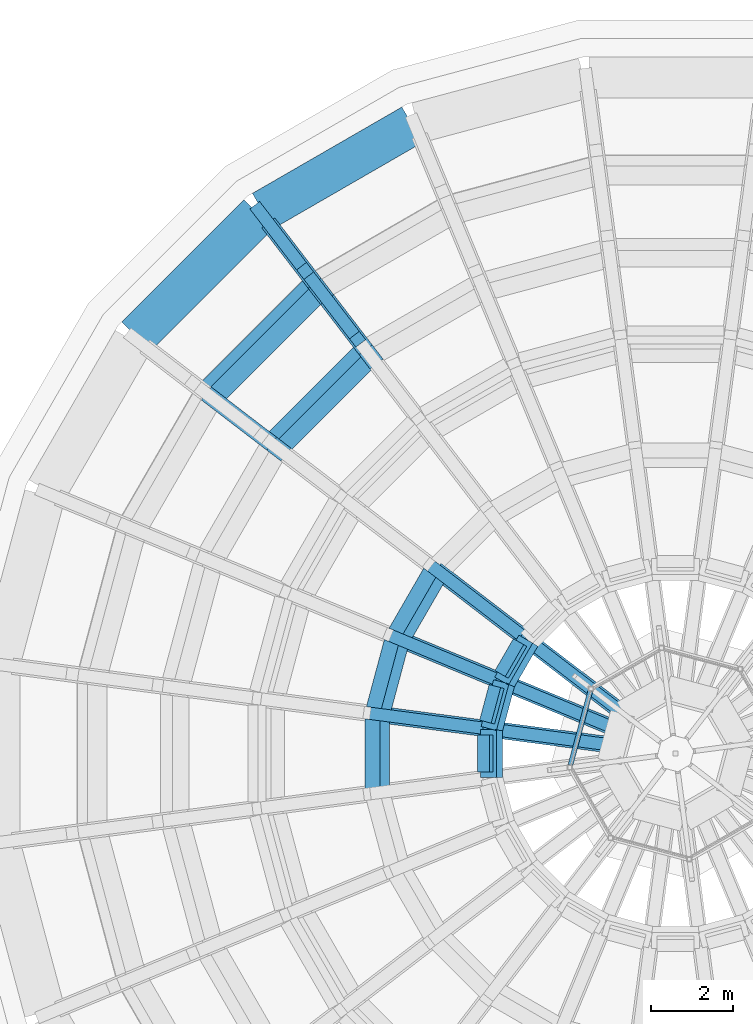
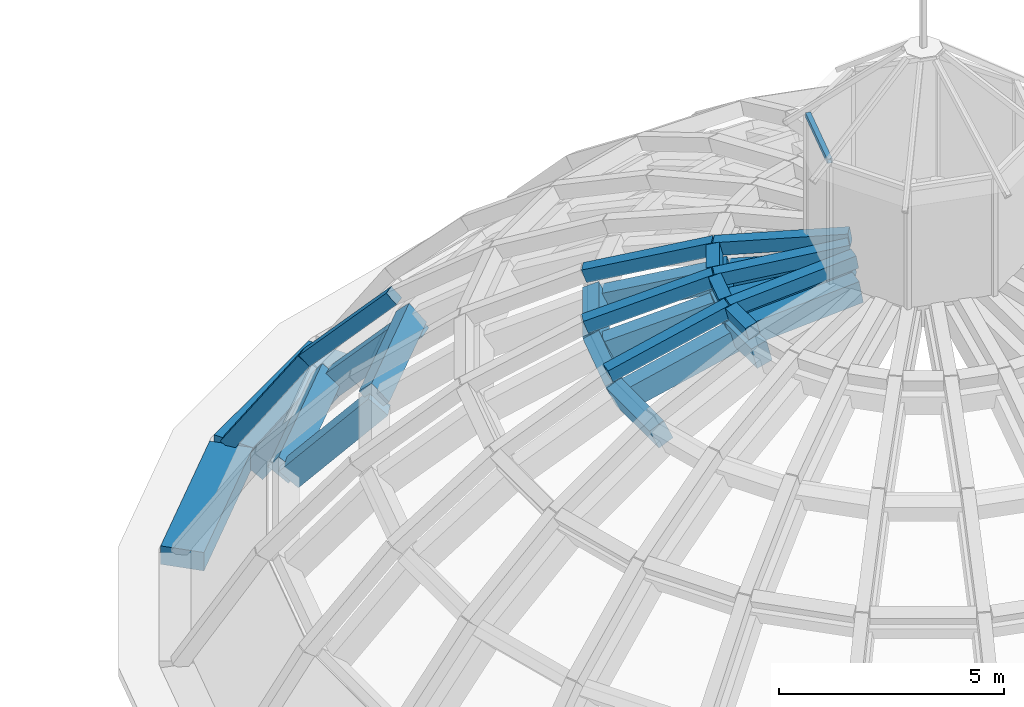
# One storey, part 14 of 29: 18 members, 13 beams.
"""IFC4 building model written with IfcOpenShell, lengths in metres."""

from ifc_helpers import new_model, si_unit, direction, frame, origin, origin_2d, place, context, subcontext, project, spatial, rectangle, hollow_rectangle, extrude, material, material_profile, profile_set, type_object, element, save


model = new_model("IFC4")

# Units and contexts
model_context = context("Model", 3, precision=1e-05, world=origin(), true_north=direction((0.0, 1.0)))
body_context = subcontext(model_context, "Body", "Model", "MODEL_VIEW")
ifc_project = project(units=[si_unit("LENGTHUNIT", "METRE"), si_unit("AREAUNIT", "SQUARE_METRE"), si_unit("VOLUMEUNIT", "CUBIC_METRE"), si_unit("PLANEANGLEUNIT", "RADIAN"), si_unit("MASSUNIT", "GRAM", prefix="KILO")], contexts=[model_context])

# Site, building, storey
site_placement = place(None, origin())
site = spatial("IfcSite", under=ifc_project, at=site_placement, CompositionType="ELEMENT")
building_placement = place(site_placement, origin())
building = spatial("IfcBuilding", under=site, at=building_placement, Name="Golden Quay Civic Hall", CompositionType="ELEMENT")
storey_placement = place(building_placement, frame((0.0, 0.0, 27.0)))
storey = spatial("IfcBuildingStorey", under=building, at=storey_placement, Name="L06", CompositionType="ELEMENT", Elevation=27.0)

# Members
ifc_material_1 = material(Name="Concrete C40/50", Category="concrete")
ifc_material_profile_1 = material_profile(ifc_material_1, rectangle(XDim=0.39990234375, YDim=0.60009765625, at=origin_2d()), Name="RC 400x600")
ifc_profile_set_1 = profile_set([ifc_material_profile_1], Name="Concrete C40/50")
member_type_1 = type_object("IfcMemberType", Name="Reinforced concrete dome meridian rib 400x600", PredefinedType="STRUT", material=ifc_profile_set_1)
member_1_placement = place(storey_placement, frame((75.71630859375, 98.250244140625, -0.492919921875), z_axis=(0.337779869616, -0.440119735162, 0.831985203236), x_axis=(0.793297520149, 0.608834168329, 0.0)))
element("IfcMember", 1, at=member_1_placement, inside=storey, type_object=member_type_1, Name="Dome meridian rib 9.1", PredefinedType="STRUT", context=body_context, shape_type="SweptSolid", body=[
    extrude(rectangle(XDim=0.39990234375, YDim=0.60009765625, at=origin_2d()), origin(), (0.0, 0.0, 1.0), 3.349365234375),
])
for number, where, z_axis, x_axis, name in (
    (2, (76.84765625, 96.776123046875, 2.293701171875), (0.415380151346, -0.541368312037, 0.731012777309), (0.793372000459, 0.608737109833, 0.0), "Dome meridian rib 9.2"),
    (3, (74.223876953125, 94.15234375, 2.293701171875), (0.541368312037, -0.415380151346, 0.731012777309), (0.608737109833, 0.793372000459, 0.0), "Dome meridian rib 10.2"),
):
    element("IfcMember", number, at=place(storey_placement, frame(where, z_axis=z_axis, x_axis=x_axis)), inside=storey, type_object=member_type_1, Name=name, PredefinedType="STRUT", context=body_context, shape_type="SweptSolid", body=[
        extrude(rectangle(XDim=0.39990234375, YDim=0.60009765625, at=origin_2d()), origin(), (0.0, 0.0, 1.0), 2.949462890625),
    ])
member_2_placement = place(storey_placement, frame((79.733642578125, 89.924560546875, 7.649169921875), z_axis=(0.750307626123, -0.575644222425, 0.325072600153), x_axis=(0.608703478453, 0.793397803954, 0.0)))
element("IfcMember", 4, at=member_2_placement, inside=storey, type_object=member_type_1, Name="Dome meridian rib 10.5", PredefinedType="STRUT", context=body_context, shape_type="SweptSolid", body=[
    extrude(rectangle(XDim=0.39990234375, YDim=0.60009765625, at=origin_2d()), origin(), (0.0, 0.0, 1.0), 2.94921875),
])
for number, where, z_axis, x_axis, name in (
    (5, (81.946533203125, 88.226806640625, 8.60791015625), (0.782130354175, -0.600193374761, 0.167451551116), (0.608789293209, 0.793331958561, 0.0), "Dome meridian rib 10.6"),
    (6, (78.784912109375, 88.281494140625, 7.649169921875), (0.87370637571, -0.361899031227, 0.325063471095), (0.382681628015, 0.923880279895, 0.0), "Dome meridian rib 11.5"),
):
    element("IfcMember", number, at=place(storey_placement, frame(where, z_axis=z_axis, x_axis=x_axis)), inside=storey, type_object=member_type_1, Name=name, PredefinedType="STRUT", context=body_context, shape_type="SweptSolid", body=[
        extrude(rectangle(XDim=0.39990234375, YDim=0.60009765625, at=origin_2d()), origin(), (0.0, 0.0, 1.0), 2.949462890625),
    ])
for number, where, z_axis, x_axis, name in (
    (7, (81.36181640625, 87.214111328125, 8.60791015625), (0.910820958747, -0.377308182311, 0.167462582891), (0.382712685396, 0.923867414966, 0.0), "Dome meridian rib 11.6"),
    (8, (78.2939453125, 86.44873046875, 7.649169921875), (0.937594712982, -0.123428723032, 0.325086918407), (0.130517915671, 0.991445950967, 0.0), "Dome meridian rib 12.5"),
):
    element("IfcMember", number, at=place(storey_placement, frame(where, z_axis=z_axis, x_axis=x_axis)), inside=storey, type_object=member_type_1, Name=name, PredefinedType="STRUT", context=body_context, shape_type="SweptSolid", body=[
        extrude(rectangle(XDim=0.39990234375, YDim=0.60009765625, at=origin_2d()), origin(), (0.0, 0.0, 1.0), 2.94921875),
    ])
member_3_placement = place(storey_placement, frame((81.05908203125, 86.084716796875, 8.60791015625), z_axis=(0.977443538671, -0.1287090103, 0.167445869992), x_axis=(0.130552242018, 0.991441431505, 0.0)))
element("IfcMember", 9, at=member_3_placement, inside=storey, type_object=member_type_1, Name="Dome meridian rib 12.6", PredefinedType="STRUT", context=body_context, shape_type="SweptSolid", body=[
    extrude(rectangle(XDim=0.39990234375, YDim=0.60009765625, at=origin_2d()), origin(), (0.0, 0.0, 1.0), 2.94970703125),
])
ifc_material_2 = material(Name="Concrete C40/50", Category="concrete")
ifc_material_profile_2 = material_profile(ifc_material_2, rectangle(XDim=0.300048828125, YDim=0.35009765625, at=origin_2d()), Name="RC 300x350")
ifc_profile_set_2 = profile_set([ifc_material_profile_2], Name="Concrete C40/50")
member_type_2 = type_object("IfcMemberType", Name="Reinforced concrete dome outer rib 300x350", PredefinedType="STRUT", material=ifc_profile_set_2)
member_4_placement = place(storey_placement, frame((75.321533203125, 98.7646484375, -0.01904296875), z_axis=(0.337798707205, -0.440142253946, 0.83196564214), x_axis=(0.79329616646, 0.608835932152, 0.0)))
element("IfcMember", 10, at=member_4_placement, inside=storey, type_object=member_type_2, Name="Dome outer rib 9.1", PredefinedType="STRUT", context=body_context, shape_type="SweptSolid", body=[
    extrude(rectangle(XDim=0.300048828125, YDim=0.35009765625, at=origin_2d()), origin(), (0.0, 0.0, 1.0), 3.38037109375),
])
member_5_placement = place(storey_placement, frame((76.46337890625, 97.27685546875, 2.793212890625), z_axis=(0.415384518325, -0.541402717932, 0.730984814447), x_axis=(0.793387592991, 0.60871678742, 0.0)))
element("IfcMember", 11, at=member_5_placement, inside=storey, type_object=member_type_2, Name="Dome outer rib 9.2", PredefinedType="STRUT", context=body_context, shape_type="SweptSolid", body=[
    extrude(rectangle(XDim=0.300048828125, YDim=0.35009765625, at=origin_2d()), origin(), (0.0, 0.0, 1.0), 3.080322265625),
])
member_6_placement = place(storey_placement, frame((79.4775390625, 90.12109375, 8.386474609375), z_axis=(0.750306274823, -0.575628443439, 0.325103658955), x_axis=(0.608693665393, 0.793405332545, 0.0)))
element("IfcMember", 12, at=member_6_placement, inside=storey, type_object=member_type_2, Name="Dome outer rib 10.5", PredefinedType="STRUT", context=body_context, shape_type="SweptSolid", body=[
    extrude(rectangle(XDim=0.300048828125, YDim=0.35009765625, at=origin_2d()), origin(), (0.0, 0.0, 1.0), 3.08056640625),
])
for number, where, z_axis, x_axis, name in (
    (13, (81.788818359375, 88.347900390625, 9.387939453125), (0.782109946865, -0.600214696758, 0.167470441602), (0.608812902072, 0.793313840968, 0.0), "Dome outer rib 10.6"),
    (14, (78.48681640625, 88.405029296875, 8.386474609375), (0.873682825945, -0.361901096187, 0.325124462671), (0.382692296203, 0.923875860939, 0.0), "Dome outer rib 11.5"),
):
    element("IfcMember", number, at=place(storey_placement, frame(where, z_axis=z_axis, x_axis=x_axis)), inside=storey, type_object=member_type_2, Name=name, PredefinedType="STRUT", context=body_context, shape_type="SweptSolid", body=[
        extrude(rectangle(XDim=0.300048828125, YDim=0.35009765625, at=origin_2d()), origin(), (0.0, 0.0, 1.0), 3.080322265625),
    ])
member_7_placement = place(storey_placement, frame((81.177978515625, 87.290283203125, 9.387939453125), z_axis=(0.91084882311, -0.377241833986, 0.167460503196), x_axis=(0.3826452496, 0.923895347406, 0.0)))
element("IfcMember", 15, at=member_7_placement, inside=storey, type_object=member_type_2, Name="Dome outer rib 11.6", PredefinedType="STRUT", context=body_context, shape_type="SweptSolid", body=[
    extrude(rectangle(XDim=0.300048828125, YDim=0.35009765625, at=origin_2d()), origin(), (0.0, 0.0, 1.0), 3.08056640625),
])
for number, where, z_axis, x_axis, name in (
    (16, (77.973876953125, 86.49072265625, 8.386474609375), (0.937591847923, -0.123400719122, 0.325105812357), (0.130489199571, 0.991449730846, 0.0), "Dome outer rib 12.5"),
    (17, (80.862060546875, 86.110595703125, 9.387939453125), (0.977436972239, -0.128718589273, 0.167476834442), (0.130562654715, 0.991440060313, 0.0), "Dome outer rib 12.6"),
):
    element("IfcMember", number, at=place(storey_placement, frame(where, z_axis=z_axis, x_axis=x_axis)), inside=storey, type_object=member_type_2, Name=name, PredefinedType="STRUT", context=body_context, shape_type="SweptSolid", body=[
        extrude(rectangle(XDim=0.300048828125, YDim=0.35009765625, at=origin_2d()), origin(), (0.0, 0.0, 1.0), 3.080322265625),
    ])

# Beams
ifc_material_3 = material(Name="Concrete C40/50", Category="concrete")
ifc_material_profile_3 = material_profile(ifc_material_3, rectangle(XDim=0.300048828125, YDim=0.35009765625, at=origin_2d()), Name="RC 300x350")
ifc_profile_set_3 = profile_set([ifc_material_profile_3], Name="Concrete C40/50")
beam_type_1 = type_object("IfcBeamType", Name="Reinforced concrete dome outer ring beam 300x350", PredefinedType="BEAM", material=ifc_profile_set_3)
beam_1_placement = place(storey_placement, frame((81.7080078125, 88.2080078125, 9.387939453125), z_axis=(-0.499996880198, -0.866027204995, 0.0), x_axis=(0.839173074438, -0.484492769679, 0.247093721627)))
element("IfcBeam", 18, at=beam_1_placement, inside=storey, type_object=beam_type_1, Name="Dome crown outer ring beam segment 10", PredefinedType="BEAM", context=body_context, shape_type="SweptSolid", body=[
    extrude(rectangle(XDim=0.300048828125, YDim=0.35009765625, at=origin_2d()), origin(), (0.0, 0.0, 1.0), 0.8984375),
])
beam_2_placement = place(storey_placement, frame((81.13623046875, 87.134521484375, 9.387939453125), z_axis=(-0.258609351425, -0.965981989147, 0.0), x_axis=(0.936028419209, -0.250590285458, 0.247093721627)))
element("IfcBeam", 19, at=beam_2_placement, inside=storey, type_object=beam_type_1, Name="Dome crown outer ring beam segment 11", PredefinedType="BEAM", context=body_context, shape_type="SweptSolid", body=[
    extrude(rectangle(XDim=0.300048828125, YDim=0.35009765625, at=origin_2d()), origin(), (0.0, 0.0, 1.0), 0.898681640625),
])
beam_3_placement = place(storey_placement, frame((80.862060546875, 85.94921875, 9.387939453125), z_axis=(0.0, -1.0, 0.0), x_axis=(0.968991585481, 0.0, 0.247093721627)))
element("IfcBeam", 20, at=beam_3_placement, inside=storey, type_object=beam_type_1, Name="Dome crown outer ring beam segment 12", PredefinedType="BEAM", context=body_context, shape_type="SweptSolid", body=[
    extrude(rectangle(XDim=0.300048828125, YDim=0.35009765625, at=origin_2d()), origin(), (0.0, 0.0, 1.0), 0.8984375),
])
ifc_material_4 = material(Name="Concrete C40/50", Category="concrete")
ifc_material_profile_4 = material_profile(ifc_material_4, rectangle(XDim=0.39990234375, YDim=0.60009765625, at=origin_2d()), Name="RC 400x600")
ifc_profile_set_4 = profile_set([ifc_material_profile_4], Name="Concrete C40/50")
beam_type_2 = type_object("IfcBeamType", Name="Reinforced concrete dome ring rib 400x600", PredefinedType="BEAM", material=ifc_profile_set_4)
beam_4_placement = place(storey_placement, frame((76.76171875, 96.887939453125, 2.405517578125), z_axis=(-0.707106781187, -0.707106781187, 0.0), x_axis=(0.438873405696, -0.438873405696, 0.784079248256)))
element("IfcBeam", 21, at=beam_4_placement, inside=storey, type_object=beam_type_2, Name="Dome ring rib 1.9", PredefinedType="BEAM", context=body_context, shape_type="SweptSolid", body=[
    extrude(rectangle(XDim=0.39990234375, YDim=0.60009765625, at=origin_2d()), origin(), (0.0, 0.0, 1.0), 3.7470703125),
])
beam_5_placement = place(storey_placement, frame((77.9990234375, 95.275390625, 4.582763671875), z_axis=(-0.707106781187, -0.707106781187, 0.0), x_axis=(0.522972413851, -0.522972413851, 0.673052530418)))
element("IfcBeam", 22, at=beam_5_placement, inside=storey, type_object=beam_type_2, Name="Dome ring rib 2.9", PredefinedType="BEAM", context=body_context, shape_type="SweptSolid", body=[
    extrude(rectangle(XDim=0.39990234375, YDim=0.60009765625, at=origin_2d()), origin(), (0.0, 0.0, 1.0), 3.216552734375),
])
for number, where, z_axis, x_axis, name in (
    (23, (79.676513671875, 89.968505859375, 7.81396484375), (-0.500071685664, -0.865984012091, 0.0), (0.793324755143, -0.458113824325, 0.40095829813), "Dome ring rib 4.10"),
    (24, (78.71826171875, 88.30908203125, 7.81396484375), (-0.258748821383, -0.965944639942, 0.0), (0.884898317134, -0.237038839633, 0.40095829813), "Dome ring rib 4.11"),
):
    element("IfcBeam", number, at=place(storey_placement, frame(where, z_axis=z_axis, x_axis=x_axis)), inside=storey, type_object=beam_type_2, Name=name, PredefinedType="BEAM", context=body_context, shape_type="SweptSolid", body=[
        extrude(rectangle(XDim=0.39990234375, YDim=0.60009765625, at=origin_2d()), origin(), (0.0, 0.0, 1.0), 1.916259765625),
    ])
beam_6_placement = place(storey_placement, frame((78.222412109375, 86.4580078125, 7.81396484375), z_axis=(0.0, -1.0, 0.0), x_axis=(0.916096306706, 0.0, 0.40095829813)))
element("IfcBeam", 25, at=beam_6_placement, inside=storey, type_object=beam_type_2, Name="Dome ring rib 4.12", PredefinedType="BEAM", context=body_context, shape_type="SweptSolid", body=[
    extrude(rectangle(XDim=0.39990234375, YDim=0.60009765625, at=origin_2d()), origin(), (0.0, 0.0, 1.0), 1.916015625),
])
beam_7_placement = place(storey_placement, frame((81.9111328125, 88.25390625, 8.7822265625), z_axis=(-0.499919322631, -0.866071977875, 0.0), x_axis=(0.839216458981, -0.484417617049, 0.247093721627)))
element("IfcBeam", 26, at=beam_7_placement, inside=storey, type_object=beam_type_2, Name="Dome ring rib 5.10", PredefinedType="BEAM", context=body_context, shape_type="SweptSolid", body=[
    extrude(rectangle(XDim=0.39990234375, YDim=0.60009765625, at=origin_2d()), origin(), (0.0, 0.0, 1.0), 1.180908203125),
])
beam_8_placement = place(storey_placement, frame((81.32080078125, 87.231201171875, 8.7822265625), z_axis=(-0.258794633734, -0.965932366965, 0.0), x_axis=(0.935980335732, -0.250769822456, 0.247093721627)))
element("IfcBeam", 27, at=beam_8_placement, inside=storey, type_object=beam_type_2, Name="Dome ring rib 5.11", PredefinedType="BEAM", context=body_context, shape_type="SweptSolid", body=[
    extrude(rectangle(XDim=0.39990234375, YDim=0.60009765625, at=origin_2d()), origin(), (0.0, 0.0, 1.0), 1.18115234375),
])
beam_9_placement = place(storey_placement, frame((81.01513671875, 86.09033203125, 8.7822265625), z_axis=(0.0, -1.0, 0.0), x_axis=(0.968991585481, 0.0, 0.247093721627)))
element("IfcBeam", 28, at=beam_9_placement, inside=storey, type_object=beam_type_2, Name="Dome ring rib 5.12", PredefinedType="BEAM", context=body_context, shape_type="SweptSolid", body=[
    extrude(rectangle(XDim=0.39990234375, YDim=0.60009765625, at=origin_2d()), origin(), (0.0, 0.0, 1.0), 1.1806640625),
])
ifc_material_5 = material(Name="Concrete C40/50", Category="concrete")
ifc_material_profile_5 = material_profile(ifc_material_5, rectangle(XDim=1.0, YDim=0.5, at=origin_2d()), Name="RC 1000x500")
ifc_profile_set_5 = profile_set([ifc_material_profile_5], Name="Concrete C40/50")
beam_type_3 = type_object("IfcBeamType", Name="Reinforced concrete springing ring beam 1000x500", PredefinedType="BEAM", material=ifc_profile_set_5)
for number, where, z_axis, x_axis, name in (
    (29, (79.07421875, 100.842529296875, -0.25), (-0.866023457084, -0.500003371769, 0.0), (0.500003371769, -0.866023457084, 0.0), "Dome springing ring segment 8"),
    (30, (75.322265625, 98.65673828125, -0.25), (-0.707106781187, -0.707106781187, 0.0), (0.707106781187, -0.707106781187, 0.0), "Dome springing ring segment 9"),
):
    element("IfcBeam", number, at=place(storey_placement, frame(where, z_axis=z_axis, x_axis=x_axis)), inside=storey, type_object=beam_type_3, Name=name, PredefinedType="BEAM", context=body_context, shape_type="SweptSolid", body=[
        extrude(rectangle(XDim=1.0, YDim=0.5, at=origin_2d()), origin(), (0.0, 0.0, 1.0), 4.212890625),
    ])

# Member
ifc_material_6 = material(Name="Steel S355", Category="steel")
ifc_material_profile_6 = material_profile(ifc_material_6, hollow_rectangle(XDim=0.1201171875, YDim=0.1201171875, WallThickness=0.008056640625, at=origin_2d()), Name="SHS 120x120x8")
ifc_profile_set_6 = profile_set([ifc_material_profile_6], Name="Steel S355")
member_type_3 = type_object("IfcMemberType", Name="Steel lantern ring member SHS 120x120x8", PredefinedType="STRUT", material=ifc_profile_set_6)
member_8_placement = place(storey_placement, frame((83.421875, 87.02490234375, 13.177734375), z_axis=(-0.258873115347, -0.965911336589, 0.0), x_axis=(0.965911336589, -0.258873115347, 0.0)))
element("IfcMember", 31, at=member_8_placement, inside=storey, type_object=member_type_3, Name="Lantern ring member 4", PredefinedType="STRUT", context=body_context, shape_type="SweptSolid", body=[
    extrude(hollow_rectangle(XDim=0.1201171875, YDim=0.1201171875, WallThickness=0.008056640625, at=origin_2d()), origin(), (0.0, 0.0, 1.0), 1.8701171875),
])

save(model, "model.ifc")
